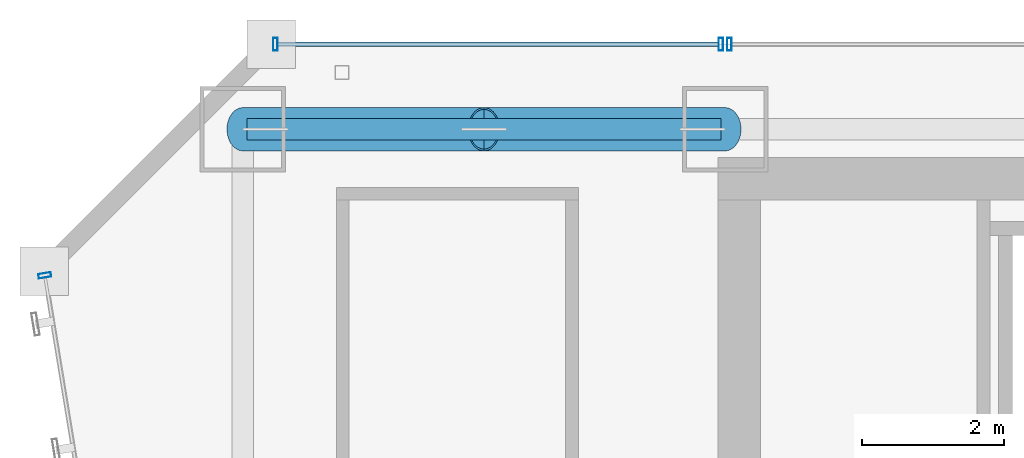
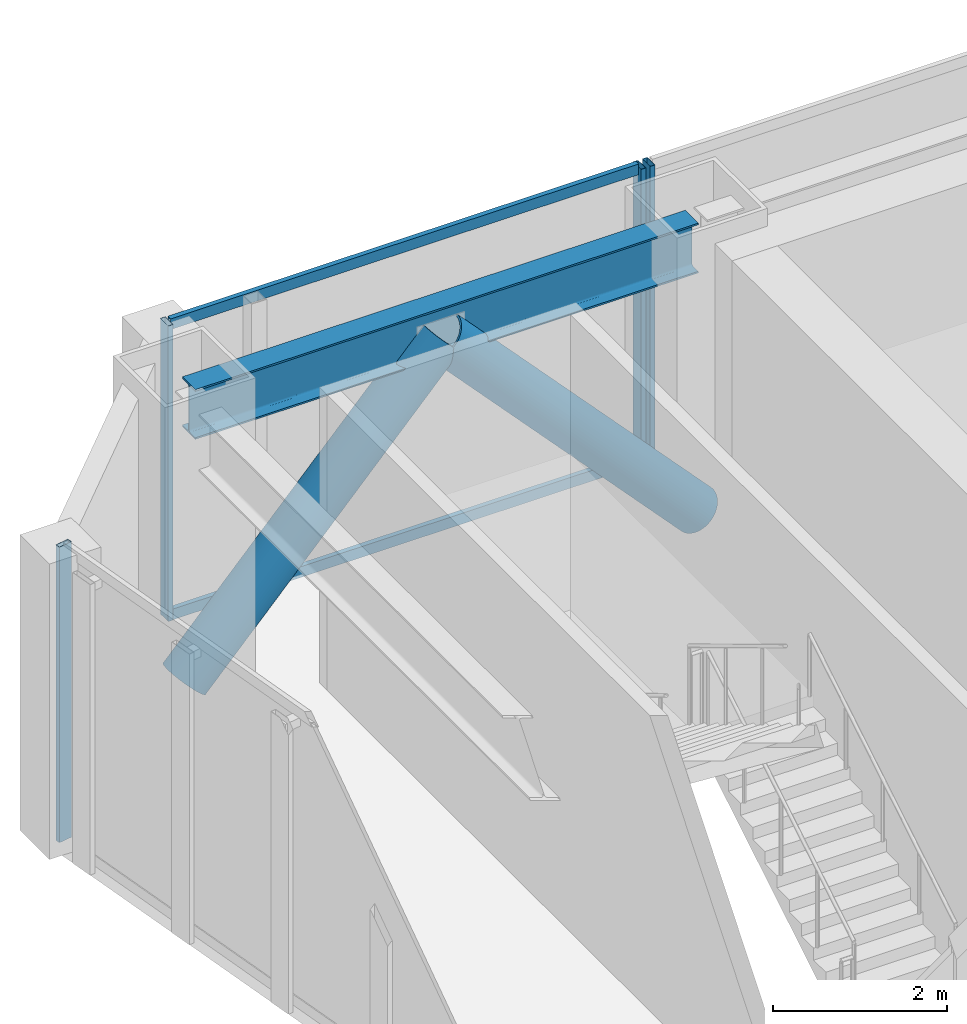
# One storey, part 26 of 47: 8 members, 1 beam, 3 elements without a shape of their own.
"""IFC4 building model written with IfcOpenShell, lengths in metres."""

from ifc_helpers import new_model, si_unit, direction, frame, origin, origin_2d, place, context, subcontext, project, spatial, hollow_rectangle, hollow_circle, i_section, extrude, material, material_profile, profile_set, type_object, element, aggregate, save


model = new_model("IFC4")

# Units and contexts
model_context = context("Model", 3, precision=1e-05, world=origin(), true_north=direction((0.0, 1.0)))
body_context = subcontext(model_context, "Body", "Model", "MODEL_VIEW")
ifc_project = project(units=[si_unit("LENGTHUNIT", "METRE"), si_unit("AREAUNIT", "SQUARE_METRE"), si_unit("VOLUMEUNIT", "CUBIC_METRE"), si_unit("PLANEANGLEUNIT", "RADIAN"), si_unit("MASSUNIT", "GRAM", prefix="KILO")], contexts=[model_context])

# Site, building, storey
site_placement = place(None, origin())
site = spatial("IfcSite", under=ifc_project, at=site_placement, CompositionType="ELEMENT")
building_placement = place(site_placement, origin())
building = spatial("IfcBuilding", under=site, at=building_placement, Name="Saevonmaru Cultural Tower", CompositionType="ELEMENT")
storey_placement = place(building_placement, frame((0.0, 0.0, 51.60009765625)))
storey = spatial("IfcBuildingStorey", under=building, at=storey_placement, Name="L10", CompositionType="ELEMENT", Elevation=51.60009765625)

# Beam
ifc_material_1 = material(Name="Steel SM355", Category="steel")
ifc_material_profile_1 = material_profile(ifc_material_1, i_section(OverallWidth=0.300048828125, OverallDepth=0.699951171875, WebThickness=0.012939453125, FlangeThickness=0.02392578125, FilletRadius=0.02587890625, at=origin_2d()), Name="H-700x300x13x24")
ifc_profile_set_1 = profile_set([ifc_material_profile_1], Name="Steel SM355")
beam_type = type_object("IfcBeamType", Name="BM-SP-H700", PredefinedType="SPANDREL", material=ifc_profile_set_1)
beam_placement = place(storey_placement, frame((6.860107421875, 54.800048828125, 3.7998046875), z_axis=(1.0, 0.0, 0.0), x_axis=(0.0, 1.0, 0.0)))
element("IfcBeam", 1, at=beam_placement, inside=storey, type_object=beam_type, Name="L10 North Spine Girder 1", PredefinedType="SPANDREL", context=body_context, shape_type="SweptSolid", body=[
    extrude(i_section(OverallWidth=0.300048828125, OverallDepth=0.699951171875, WebThickness=0.012939453125, FlangeThickness=0.02392578125, FilletRadius=0.02587890625, at=origin_2d()), origin(), (0.0, 0.0, 1.0), 6.679931640625),
])

# Members
ifc_material_2 = material(Name="Steel HSA600 (600 MPa)", Category="steel")
ifc_material_profile_2 = material_profile(ifc_material_2, hollow_circle(Radius=0.3046875, WallThickness=0.02490234375, at=origin_2d()), Name="CHS-609.6x25")
ifc_profile_set_2 = profile_set([ifc_material_profile_2], Name="Steel HSA600 (600 MPa)")
member_type_1 = type_object("IfcMemberType", Name="MB-PBR-CHS610", PredefinedType="BRACE", material=ifc_profile_set_2)
member_1_placement = place(storey_placement, frame((6.800048828125, 54.800048828125, 0.02001953125), z_axis=(0.681602937137, 0.0, 0.73172223971), x_axis=(0.0, 1.0, 0.0)))
element("IfcMember", 2, at=member_1_placement, inside=storey, type_object=member_type_1, Name="L10 Perimeter Braced-Tube Diagonal WN1", PredefinedType="BRACE", context=body_context, shape_type="SweptSolid", body=[
    extrude(hollow_circle(Radius=0.3046875, WallThickness=0.02490234375, at=origin_2d()), origin(), (0.0, 0.0, 1.0), 4.988037109375),
])
member_2_placement = place(storey_placement, frame((13.60009765625, 54.800048828125, 0.02001953125), z_axis=(-0.681629141635, 0.0, 0.731697829212), x_axis=(0.0, -1.0, 0.0)))
element("IfcMember", 3, at=member_2_placement, inside=storey, type_object=member_type_1, Name="L10 Perimeter Braced-Tube Diagonal WN2", PredefinedType="BRACE", context=body_context, shape_type="SweptSolid", body=[
    extrude(hollow_circle(Radius=0.3046875, WallThickness=0.02490234375, at=origin_2d()), origin(), (0.0, 0.0, 1.0), 4.98828125),
])

# Curtain wall, member
ifc_material_3 = material(Name="Satin Bronze Anodised Aluminium", Category="aluminium")
curtain_wall_type = type_object("IfcCurtainWallType", Name="CW-TYP-A", PredefinedType="NOTDEFINED", material=ifc_material_3)
curtain_wall_1_placement = place(storey_placement, origin())
curtain_wall_1 = element("IfcCurtainWall", 4, at=curtain_wall_1_placement, inside=storey, type_object=curtain_wall_type, Name="L10 North Spine Unitised Curtain Wall E10B", PredefinedType="NOTDEFINED")
ifc_material_profile_3 = material_profile(ifc_material_3, hollow_rectangle(XDim=0.06494140625, YDim=0.179931640625, WallThickness=0.00390625, at=origin_2d()), Name="ALU-MULL-180x65x4")
ifc_profile_set_3 = profile_set([ifc_material_profile_3], Name="Satin Bronze Anodised Aluminium")
member_type_2 = type_object("IfcMemberType", Name="ML-CW-180x65", PredefinedType="MULLION", material=ifc_profile_set_3)
member_3_placement = place(storey_placement, frame((13.659912109375, 56.0, 0.0), z_axis=(0.0, 0.0, 1.0), x_axis=(-1.0, 0.0, 0.0)))
member_3 = element("IfcMember", 5, at=member_3_placement, type_object=member_type_2, Name="CW-TW-L10-E10B mullion 4", PredefinedType="MULLION", context=body_context, shape_type="SweptSolid", body=[
    extrude(hollow_rectangle(XDim=0.06494140625, YDim=0.179931640625, WallThickness=0.00390625, at=origin_2d()), origin(), (0.0, 0.0, 1.0), 4.14990234375),
])
aggregate(curtain_wall_1, [member_3])

# Curtain wall, members
curtain_wall_2_placement = place(storey_placement, origin())
curtain_wall_2 = element("IfcCurtainWall", 6, at=curtain_wall_2_placement, inside=storey, type_object=curtain_wall_type, Name="L10 West Braced Bay Spandrel Curtain Wall E10C", PredefinedType="NOTDEFINED")
member_4_placement = place(storey_placement, frame((13.5400390625, 56.0, 0.0), z_axis=(0.0, 0.0, 1.0), x_axis=(-1.0, 0.0, 0.0)))
member_4 = element("IfcMember", 7, at=member_4_placement, type_object=member_type_2, Name="CW-TW-L10-E10C mullion 1", PredefinedType="MULLION", context=body_context, shape_type="SweptSolid", body=[
    extrude(hollow_rectangle(XDim=0.06494140625, YDim=0.179931640625, WallThickness=0.00390625, at=origin_2d()), origin(), (0.0, 0.0, 1.0), 4.14990234375),
])
member_5_placement = place(storey_placement, frame((7.260009765625, 56.0, 0.0), z_axis=(0.0, 0.0, 1.0), x_axis=(-1.0, 0.0, 0.0)))
member_5 = element("IfcMember", 8, at=member_5_placement, type_object=member_type_2, Name="CW-TW-L10-E10C mullion 2", PredefinedType="MULLION", context=body_context, shape_type="SweptSolid", body=[
    extrude(hollow_rectangle(XDim=0.06494140625, YDim=0.179931640625, WallThickness=0.00390625, at=origin_2d()), origin(), (0.0, 0.0, 1.0), 4.14990234375),
])

# Curtain wall, member
curtain_wall_3_placement = place(storey_placement, origin())
curtain_wall_3 = element("IfcCurtainWall", 9, at=curtain_wall_3_placement, inside=storey, type_object=curtain_wall_type, Name="L10 Unitised Curtain Wall E12", PredefinedType="NOTDEFINED")
member_6_placement = place(storey_placement, frame((4.009765625, 52.74072265625, 0.0), z_axis=(0.0, 0.0, 1.0), x_axis=(0.161708868641, -0.986838508472, 0.0)))
member_6 = element("IfcMember", 10, at=member_6_placement, type_object=member_type_2, Name="CW-TW-L10-E12 mullion 1", PredefinedType="MULLION", context=body_context, shape_type="SweptSolid", body=[
    extrude(hollow_rectangle(XDim=0.06494140625, YDim=0.179931640625, WallThickness=0.00390625, at=origin_2d()), origin(), (0.0, 0.0, 1.0), 4.14990234375),
])
aggregate(curtain_wall_3, [member_6])

# Member
ifc_material_profile_4 = material_profile(ifc_material_3, hollow_rectangle(XDim=0.06494140625, YDim=0.14990234375, WallThickness=0.00390625, at=origin_2d()), Name="ALU-TRAN-150x65x4")
ifc_profile_set_4 = profile_set([ifc_material_profile_4], Name="Satin Bronze Anodised Aluminium")
member_type_3 = type_object("IfcMemberType", Name="TR-CW-150x65", PredefinedType="USERDEFINED", material=ifc_profile_set_4)
member_7_placement = place(storey_placement, frame((13.507568359375, 56.0, 0.032470703125), z_axis=(-1.0, 0.0, 0.0), x_axis=(0.0, -1.0, 0.0)))
member_7 = element("IfcMember", 11, at=member_7_placement, type_object=member_type_3, Name="CW-TW-L10-E10C transom 1.1", ObjectType="TRANSOM", PredefinedType="USERDEFINED", context=body_context, shape_type="SweptSolid", body=[
    extrude(hollow_rectangle(XDim=0.06494140625, YDim=0.14990234375, WallThickness=0.00390625, at=origin_2d()), origin(), (0.0, 0.0, 1.0), 6.215087890625),
])

member_8_placement = place(storey_placement, frame((13.507568359375, 56.0, 4.117431640625), z_axis=(-1.0, 0.0, 0.0), x_axis=(0.0, -1.0, 0.0)))
member_8 = element("IfcMember", 12, at=member_8_placement, type_object=member_type_3, Name="CW-TW-L10-E10C transom 1.2", ObjectType="TRANSOM", PredefinedType="USERDEFINED", context=body_context, shape_type="SweptSolid", body=[
    extrude(hollow_rectangle(XDim=0.06494140625, YDim=0.14990234375, WallThickness=0.00390625, at=origin_2d()), origin(), (0.0, 0.0, 1.0), 6.215087890625),
])

aggregate(curtain_wall_2, [member_4, member_5, member_7, member_8])

save(model, "model.ifc")
